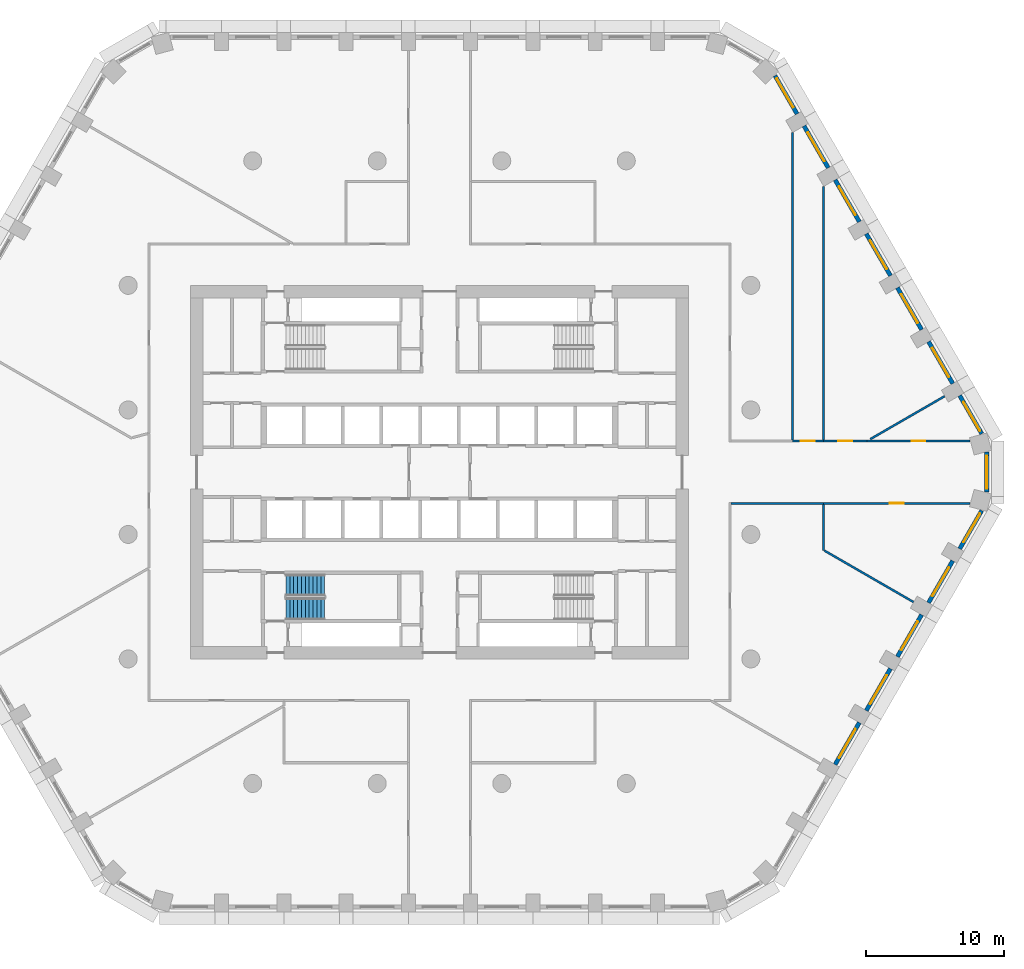
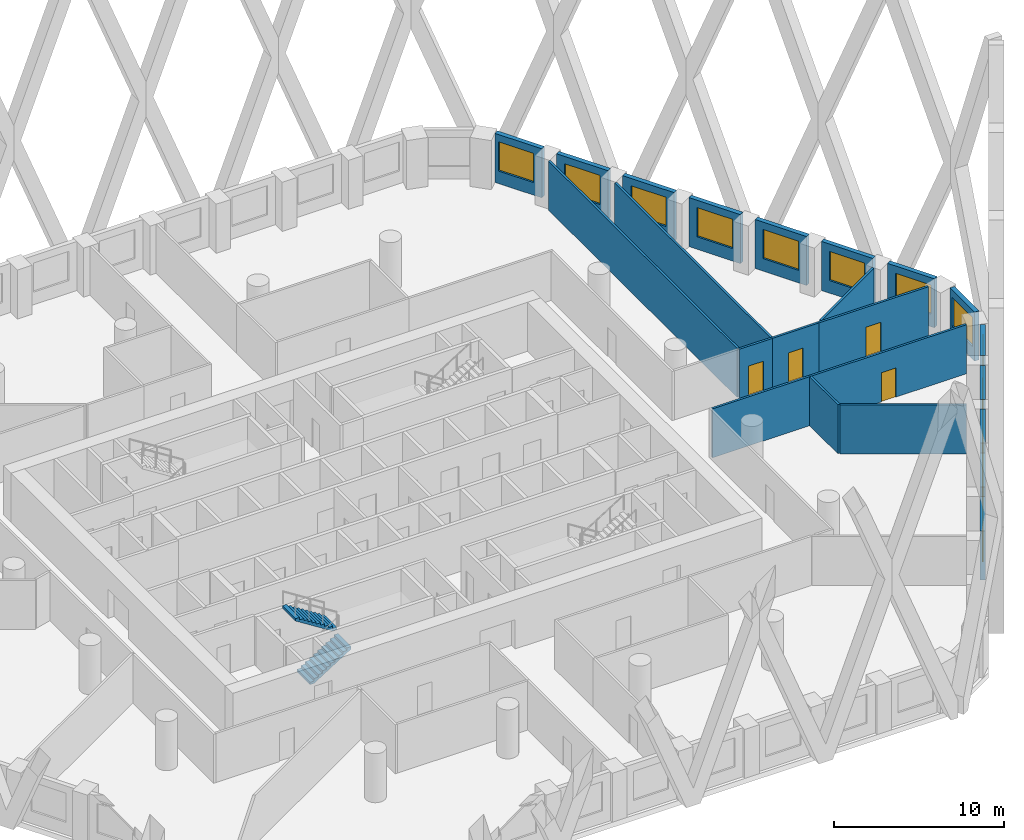
# One storey, part 8 of 18: 23 walls, 13 windows, 4 doors, 2 stair flights, 17 openings, 1 element without a shape of its own.
"""IFC4 building model written with IfcOpenShell, lengths in metres."""

from ifc_helpers import new_model, si_unit, direction, frame, frame_2d, origin, place, context, subcontext, project, spatial, polyline, rectangle, outline, extrude, material, layer, layer_set, type_object, element, fill, aggregate, save


model = new_model("IFC4")

# Units and contexts
model_context = context("Model", 3, precision=1e-05, world=origin(), true_north=direction((0.0, 1.0)))
body_context = subcontext(model_context, "Body", "Model", "MODEL_VIEW")
ifc_project = project(units=[si_unit("LENGTHUNIT", "METRE"), si_unit("AREAUNIT", "SQUARE_METRE"), si_unit("VOLUMEUNIT", "CUBIC_METRE"), si_unit("PLANEANGLEUNIT", "RADIAN"), si_unit("MASSUNIT", "GRAM", prefix="KILO")], contexts=[model_context])

# Site, building, storey
site_placement = place(None, origin())
site = spatial("IfcSite", under=ifc_project, at=site_placement, CompositionType="ELEMENT")
building_placement = place(site_placement, origin())
building = spatial("IfcBuilding", under=site, at=building_placement, Name="Dhurran Vertical Campus", CompositionType="ELEMENT")
storey_placement = place(building_placement, frame((0.0, 0.0, 81.300048828125)))
storey = spatial("IfcBuildingStorey", under=building, at=storey_placement, Name="L19", CompositionType="ELEMENT", Elevation=81.300048828125)

# Wall, opening, window
ifc_material_1 = material(Name="Precast concrete C50/60", Category="concrete")
ifc_layer_1 = layer(ifc_material_1, 0.300048828125)
ifc_layer_set_1 = layer_set([ifc_layer_1], Name="Precast concrete C50/60")
wall_type_1 = type_object("IfcWallType", Name="Precast spandrel wall 300", PredefinedType="SOLIDWALL", material=ifc_layer_set_1)
wall_1_placement = place(storey_placement, frame((28.59423828125, -21.127197265625, 0.0), z_axis=(0.0, 0.0, 1.0), x_axis=(0.499996256241, 0.866027565234, 0.0)))
wall_1 = element("IfcWall", 1, at=wall_1_placement, inside=storey, type_object=wall_type_1, Name="EW1 L19.12", PredefinedType="SOLIDWALL", context=body_context, shape_type="SweptSolid", body=[
    extrude(rectangle(XDim=3.4990234375, YDim=0.300048828125, at=frame_2d((1.74951171875, 0.0))), origin(), (0.0, 0.0, 1.0), 3.52490234375),
])
opening_1_placement = place(wall_1_placement, frame((0.549560546875, 0.0, 0.89990234375)))
opening_1 = element("IfcOpeningElement", 2, at=opening_1_placement, cuts=wall_1, Name="Opening WT1", PredefinedType="OPENING", context=body_context, shape_type="SweptSolid", body=[
    extrude(rectangle(XDim=2.39990234375, YDim=2.10009765625, at=frame_2d((1.199951171875, 1.050048828125))), frame((0.0, 0.159912109375, 0.0), z_axis=(0.0, -1.0, 0.0), x_axis=(1.0, 0.0, 0.0)), (0.0, 0.0, 1.0), 0.320068359375),
])
ifc_material_2 = material(Name="Aluminium frame with solar-control glass", Category="aluminium")
window_type = type_object("IfcWindowType", Name="Punched window 2400 x 2100", PartitioningType="SINGLE_PANEL", PredefinedType="WINDOW", material=ifc_material_2)
window_1_placement = place(opening_1_placement, origin())
window_1 = element("IfcWindow", 3, at=window_1_placement, inside=storey, type_object=window_type, Name="WT1 L19.12", OverallHeight=2.10009765625, OverallWidth=2.39990234375, PartitioningType="SINGLE_PANEL", PredefinedType="WINDOW", context=body_context, shape_type="SweptSolid", body=[
    extrude(rectangle(XDim=2.39990234375, YDim=2.10009765625, at=frame_2d((1.199951171875, 1.050048828125))), frame((0.0, 0.030029296875, 0.0), z_axis=(0.0, -1.0, 0.0), x_axis=(1.0, 0.0, 0.0)), (0.0, 0.0, 1.0), 0.06005859375),
])
fill(opening_1, window_1)

wall_2_placement = place(storey_placement, frame((30.84423828125, -17.22998046875, 0.0), z_axis=(0.0, 0.0, 1.0), x_axis=(0.499996256241, 0.866027565234, 0.0)))
wall_2 = element("IfcWall", 4, at=wall_2_placement, inside=storey, type_object=wall_type_1, Name="EW1 L19.13", PredefinedType="SOLIDWALL", context=body_context, shape_type="SweptSolid", body=[
    extrude(rectangle(XDim=3.4990234375, YDim=0.300048828125, at=frame_2d((1.74951171875, 0.0))), origin(), (0.0, 0.0, 1.0), 3.52490234375),
])
opening_2_placement = place(wall_2_placement, frame((0.549560546875, 0.0, 0.89990234375)))
opening_2 = element("IfcOpeningElement", 5, at=opening_2_placement, cuts=wall_2, Name="Opening WT1", PredefinedType="OPENING", context=body_context, shape_type="SweptSolid", body=[
    extrude(rectangle(XDim=2.39990234375, YDim=2.10009765625, at=frame_2d((1.199951171875, 1.050048828125))), frame((0.0, 0.159912109375, 0.0), z_axis=(0.0, -1.0, 0.0), x_axis=(1.0, 0.0, 0.0)), (0.0, 0.0, 1.0), 0.320068359375),
])
window_2_placement = place(opening_2_placement, origin())
window_2 = element("IfcWindow", 6, at=window_2_placement, inside=storey, type_object=window_type, Name="WT1 L19.13", OverallHeight=2.10009765625, OverallWidth=2.39990234375, PartitioningType="SINGLE_PANEL", PredefinedType="WINDOW", context=body_context, shape_type="SweptSolid", body=[
    extrude(rectangle(XDim=2.39990234375, YDim=2.10009765625, at=frame_2d((1.199951171875, 1.050048828125))), frame((0.0, 0.030029296875, 0.0), z_axis=(0.0, -1.0, 0.0), x_axis=(1.0, 0.0, 0.0)), (0.0, 0.0, 1.0), 0.06005859375),
])
fill(opening_2, window_2)

wall_3_placement = place(storey_placement, frame((33.09423828125, -13.3330078125, 0.0), z_axis=(0.0, 0.0, 1.0), x_axis=(0.499996256241, 0.866027565234, 0.0)))
wall_3 = element("IfcWall", 7, at=wall_3_placement, inside=storey, type_object=wall_type_1, Name="EW1 L19.14", PredefinedType="SOLIDWALL", context=body_context, shape_type="SweptSolid", body=[
    extrude(rectangle(XDim=3.4990234375, YDim=0.300048828125, at=frame_2d((1.74951171875, 0.0))), origin(), (0.0, 0.0, 1.0), 3.52490234375),
])
opening_3_placement = place(wall_3_placement, frame((0.549560546875, 0.0, 0.89990234375)))
opening_3 = element("IfcOpeningElement", 8, at=opening_3_placement, cuts=wall_3, Name="Opening WT1", PredefinedType="OPENING", context=body_context, shape_type="SweptSolid", body=[
    extrude(rectangle(XDim=2.39990234375, YDim=2.10009765625, at=frame_2d((1.199951171875, 1.050048828125))), frame((0.0, 0.159912109375, 0.0), z_axis=(0.0, -1.0, 0.0), x_axis=(1.0, 0.0, 0.0)), (0.0, 0.0, 1.0), 0.320068359375),
])
window_3_placement = place(opening_3_placement, origin())
window_3 = element("IfcWindow", 9, at=window_3_placement, inside=storey, type_object=window_type, Name="WT1 L19.14", OverallHeight=2.10009765625, OverallWidth=2.39990234375, PartitioningType="SINGLE_PANEL", PredefinedType="WINDOW", context=body_context, shape_type="SweptSolid", body=[
    extrude(rectangle(XDim=2.39990234375, YDim=2.10009765625, at=frame_2d((1.199951171875, 1.050048828125))), frame((0.0, 0.030029296875, 0.0), z_axis=(0.0, -1.0, 0.0), x_axis=(1.0, 0.0, 0.0)), (0.0, 0.0, 1.0), 0.06005859375),
])
fill(opening_3, window_3)

wall_4_placement = place(storey_placement, frame((35.34423828125, -9.435791015625, 0.0), z_axis=(0.0, 0.0, 1.0), x_axis=(0.499996256241, 0.866027565234, 0.0)))
wall_4 = element("IfcWall", 10, at=wall_4_placement, inside=storey, type_object=wall_type_1, Name="EW1 L19.15", PredefinedType="SOLIDWALL", context=body_context, shape_type="SweptSolid", body=[
    extrude(rectangle(XDim=3.4990234375, YDim=0.300048828125, at=frame_2d((1.74951171875, 0.0))), origin(), (0.0, 0.0, 1.0), 3.52490234375),
])
opening_4_placement = place(wall_4_placement, frame((0.549560546875, 0.0, 0.89990234375)))
opening_4 = element("IfcOpeningElement", 11, at=opening_4_placement, cuts=wall_4, Name="Opening WT1", PredefinedType="OPENING", context=body_context, shape_type="SweptSolid", body=[
    extrude(rectangle(XDim=2.39990234375, YDim=2.10009765625, at=frame_2d((1.199951171875, 1.050048828125))), frame((0.0, 0.159912109375, 0.0), z_axis=(0.0, -1.0, 0.0), x_axis=(1.0, 0.0, 0.0)), (0.0, 0.0, 1.0), 0.320068359375),
])
window_4_placement = place(opening_4_placement, origin())
window_4 = element("IfcWindow", 12, at=window_4_placement, inside=storey, type_object=window_type, Name="WT1 L19.15", OverallHeight=2.10009765625, OverallWidth=2.39990234375, PartitioningType="SINGLE_PANEL", PredefinedType="WINDOW", context=body_context, shape_type="SweptSolid", body=[
    extrude(rectangle(XDim=2.39990234375, YDim=2.10009765625, at=frame_2d((1.199951171875, 1.050048828125))), frame((0.0, 0.030029296875, 0.0), z_axis=(0.0, -1.0, 0.0), x_axis=(1.0, 0.0, 0.0)), (0.0, 0.0, 1.0), 0.06005859375),
])
fill(opening_4, window_4)

wall_5_placement = place(storey_placement, frame((37.59423828125, -5.538818359375, 0.0), z_axis=(0.0, 0.0, 1.0), x_axis=(0.500004907028, 0.866022570692, 0.0)))
wall_5 = element("IfcWall", 13, at=wall_5_placement, inside=storey, type_object=wall_type_1, Name="EW1 L19.16", PredefinedType="SOLIDWALL", context=body_context, shape_type="SweptSolid", body=[
    extrude(rectangle(XDim=3.1923828125, YDim=0.300048828125, at=frame_2d((1.59619140625, 0.0))), origin(), (0.0, 0.0, 1.0), 3.52490234375),
])
opening_5_placement = place(wall_5_placement, frame((0.549560546875, 0.0, 0.89990234375)))
opening_5 = element("IfcOpeningElement", 14, at=opening_5_placement, cuts=wall_5, Name="Opening WT1", PredefinedType="OPENING", context=body_context, shape_type="SweptSolid", body=[
    extrude(rectangle(XDim=2.39990234375, YDim=2.10009765625, at=frame_2d((1.199951171875, 1.050048828125))), frame((0.0, 0.159912109375, 0.0), z_axis=(0.0, -1.0, 0.0), x_axis=(1.0, 0.0, 0.0)), (0.0, 0.0, 1.0), 0.320068359375),
])
window_5_placement = place(opening_5_placement, origin())
window_5 = element("IfcWindow", 15, at=window_5_placement, inside=storey, type_object=window_type, Name="WT1 L19.16", OverallHeight=2.10009765625, OverallWidth=2.39990234375, PartitioningType="SINGLE_PANEL", PredefinedType="WINDOW", context=body_context, shape_type="SweptSolid", body=[
    extrude(rectangle(XDim=2.39990234375, YDim=2.10009765625, at=frame_2d((1.199951171875, 1.050048828125))), frame((0.0, 0.030029296875, 0.0), z_axis=(0.0, -1.0, 0.0), x_axis=(1.0, 0.0, 0.0)), (0.0, 0.0, 1.0), 0.06005859375),
])
fill(opening_5, window_5)

wall_6_placement = place(storey_placement, frame((39.547119140625, -1.44287109375, 0.0), z_axis=(0.0, 0.0, 1.0), x_axis=(0.0, 1.0, 0.0)))
wall_6 = element("IfcWall", 16, at=wall_6_placement, inside=storey, type_object=wall_type_1, Name="EW1 L19.17", PredefinedType="SOLIDWALL", context=body_context, shape_type="SweptSolid", body=[
    extrude(rectangle(XDim=2.8857421875, YDim=0.300048828125, at=frame_2d((1.44287109375, 0.0))), origin(), (0.0, 0.0, 1.0), 3.52490234375),
])
opening_6_placement = place(wall_6_placement, frame((0.242919921875, 0.0, 0.89990234375)))
opening_6 = element("IfcOpeningElement", 17, at=opening_6_placement, cuts=wall_6, Name="Opening WT1", PredefinedType="OPENING", context=body_context, shape_type="SweptSolid", body=[
    extrude(rectangle(XDim=2.39990234375, YDim=2.10009765625, at=frame_2d((1.199951171875, 1.050048828125))), frame((0.0, 0.159912109375, 0.0), z_axis=(0.0, -1.0, 0.0), x_axis=(1.0, 0.0, 0.0)), (0.0, 0.0, 1.0), 0.320068359375),
])
window_6_placement = place(opening_6_placement, origin())
window_6 = element("IfcWindow", 18, at=window_6_placement, inside=storey, type_object=window_type, Name="WT1 L19.17", OverallHeight=2.10009765625, OverallWidth=2.39990234375, PartitioningType="SINGLE_PANEL", PredefinedType="WINDOW", context=body_context, shape_type="SweptSolid", body=[
    extrude(rectangle(XDim=2.39990234375, YDim=2.10009765625, at=frame_2d((1.199951171875, 1.050048828125))), frame((0.0, 0.030029296875, 0.0), z_axis=(0.0, -1.0, 0.0), x_axis=(1.0, 0.0, 0.0)), (0.0, 0.0, 1.0), 0.06005859375),
])
fill(opening_6, window_6)

wall_7_placement = place(storey_placement, frame((39.1904296875, 2.774169921875, 0.0), z_axis=(0.0, 0.0, 1.0), x_axis=(-0.500004907028, 0.866022570692, 0.0)))
wall_7 = element("IfcWall", 19, at=wall_7_placement, inside=storey, type_object=wall_type_1, Name="EW1 L19.18", PredefinedType="SOLIDWALL", context=body_context, shape_type="SweptSolid", body=[
    extrude(rectangle(XDim=3.1923828125, YDim=0.300048828125, at=frame_2d((1.59619140625, 0.0))), origin(), (0.0, 0.0, 1.0), 3.52490234375),
])
opening_7_placement = place(wall_7_placement, frame((0.242919921875, 0.0, 0.89990234375)))
opening_7 = element("IfcOpeningElement", 20, at=opening_7_placement, cuts=wall_7, Name="Opening WT1", PredefinedType="OPENING", context=body_context, shape_type="SweptSolid", body=[
    extrude(rectangle(XDim=2.39990234375, YDim=2.10009765625, at=frame_2d((1.199951171875, 1.050048828125))), frame((0.0, 0.159912109375, 0.0), z_axis=(0.0, -1.0, 0.0), x_axis=(1.0, 0.0, 0.0)), (0.0, 0.0, 1.0), 0.320068359375),
])
window_7_placement = place(opening_7_placement, origin())
window_7 = element("IfcWindow", 21, at=window_7_placement, inside=storey, type_object=window_type, Name="WT1 L19.18", OverallHeight=2.10009765625, OverallWidth=2.39990234375, PartitioningType="SINGLE_PANEL", PredefinedType="WINDOW", context=body_context, shape_type="SweptSolid", body=[
    extrude(rectangle(XDim=2.39990234375, YDim=2.10009765625, at=frame_2d((1.199951171875, 1.050048828125))), frame((0.0, 0.030029296875, 0.0), z_axis=(0.0, -1.0, 0.0), x_axis=(1.0, 0.0, 0.0)), (0.0, 0.0, 1.0), 0.06005859375),
])
fill(opening_7, window_7)

wall_8_placement = place(storey_placement, frame((37.09375, 6.405517578125, 0.0), z_axis=(0.0, 0.0, 1.0), x_axis=(-0.499996256241, 0.866027565234, 0.0)))
wall_8 = element("IfcWall", 22, at=wall_8_placement, inside=storey, type_object=wall_type_1, Name="EW1 L19.19", PredefinedType="SOLIDWALL", context=body_context, shape_type="SweptSolid", body=[
    extrude(rectangle(XDim=3.4990234375, YDim=0.300048828125, at=frame_2d((1.74951171875, 0.0))), origin(), (0.0, 0.0, 1.0), 3.52490234375),
])
opening_8_placement = place(wall_8_placement, frame((0.549560546875, 0.0, 0.89990234375)))
opening_8 = element("IfcOpeningElement", 23, at=opening_8_placement, cuts=wall_8, Name="Opening WT1", PredefinedType="OPENING", context=body_context, shape_type="SweptSolid", body=[
    extrude(rectangle(XDim=2.39990234375, YDim=2.10009765625, at=frame_2d((1.199951171875, 1.050048828125))), frame((0.0, 0.159912109375, 0.0), z_axis=(0.0, -1.0, 0.0), x_axis=(1.0, 0.0, 0.0)), (0.0, 0.0, 1.0), 0.320068359375),
])
window_8_placement = place(opening_8_placement, origin())
window_8 = element("IfcWindow", 24, at=window_8_placement, inside=storey, type_object=window_type, Name="WT1 L19.19", OverallHeight=2.10009765625, OverallWidth=2.39990234375, PartitioningType="SINGLE_PANEL", PredefinedType="WINDOW", context=body_context, shape_type="SweptSolid", body=[
    extrude(rectangle(XDim=2.39990234375, YDim=2.10009765625, at=frame_2d((1.199951171875, 1.050048828125))), frame((0.0, 0.030029296875, 0.0), z_axis=(0.0, -1.0, 0.0), x_axis=(1.0, 0.0, 0.0)), (0.0, 0.0, 1.0), 0.06005859375),
])
fill(opening_8, window_8)

wall_9_placement = place(storey_placement, frame((34.84375, 10.302734375, 0.0), z_axis=(0.0, 0.0, 1.0), x_axis=(-0.499996256241, 0.866027565234, 0.0)))
wall_9 = element("IfcWall", 25, at=wall_9_placement, inside=storey, type_object=wall_type_1, Name="EW1 L19.20", PredefinedType="SOLIDWALL", context=body_context, shape_type="SweptSolid", body=[
    extrude(rectangle(XDim=3.4990234375, YDim=0.300048828125, at=frame_2d((1.74951171875, 0.0))), origin(), (0.0, 0.0, 1.0), 3.52490234375),
])
opening_9_placement = place(wall_9_placement, frame((0.549560546875, 0.0, 0.89990234375)))
opening_9 = element("IfcOpeningElement", 26, at=opening_9_placement, cuts=wall_9, Name="Opening WT1", PredefinedType="OPENING", context=body_context, shape_type="SweptSolid", body=[
    extrude(rectangle(XDim=2.39990234375, YDim=2.10009765625, at=frame_2d((1.199951171875, 1.050048828125))), frame((0.0, 0.159912109375, 0.0), z_axis=(0.0, -1.0, 0.0), x_axis=(1.0, 0.0, 0.0)), (0.0, 0.0, 1.0), 0.320068359375),
])
window_9_placement = place(opening_9_placement, origin())
window_9 = element("IfcWindow", 27, at=window_9_placement, inside=storey, type_object=window_type, Name="WT1 L19.20", OverallHeight=2.10009765625, OverallWidth=2.39990234375, PartitioningType="SINGLE_PANEL", PredefinedType="WINDOW", context=body_context, shape_type="SweptSolid", body=[
    extrude(rectangle(XDim=2.39990234375, YDim=2.10009765625, at=frame_2d((1.199951171875, 1.050048828125))), frame((0.0, 0.030029296875, 0.0), z_axis=(0.0, -1.0, 0.0), x_axis=(1.0, 0.0, 0.0)), (0.0, 0.0, 1.0), 0.06005859375),
])
fill(opening_9, window_9)

wall_10_placement = place(storey_placement, frame((32.59375, 14.19970703125, 0.0), z_axis=(0.0, 0.0, 1.0), x_axis=(-0.499996256241, 0.866027565234, 0.0)))
wall_10 = element("IfcWall", 28, at=wall_10_placement, inside=storey, type_object=wall_type_1, Name="EW1 L19.21", PredefinedType="SOLIDWALL", context=body_context, shape_type="SweptSolid", body=[
    extrude(rectangle(XDim=3.4990234375, YDim=0.300048828125, at=frame_2d((1.74951171875, 0.0))), origin(), (0.0, 0.0, 1.0), 3.52490234375),
])
opening_10_placement = place(wall_10_placement, frame((0.549560546875, 0.0, 0.89990234375)))
opening_10 = element("IfcOpeningElement", 29, at=opening_10_placement, cuts=wall_10, Name="Opening WT1", PredefinedType="OPENING", context=body_context, shape_type="SweptSolid", body=[
    extrude(rectangle(XDim=2.39990234375, YDim=2.10009765625, at=frame_2d((1.199951171875, 1.050048828125))), frame((0.0, 0.159912109375, 0.0), z_axis=(0.0, -1.0, 0.0), x_axis=(1.0, 0.0, 0.0)), (0.0, 0.0, 1.0), 0.320068359375),
])
window_10_placement = place(opening_10_placement, origin())
window_10 = element("IfcWindow", 30, at=window_10_placement, inside=storey, type_object=window_type, Name="WT1 L19.21", OverallHeight=2.10009765625, OverallWidth=2.39990234375, PartitioningType="SINGLE_PANEL", PredefinedType="WINDOW", context=body_context, shape_type="SweptSolid", body=[
    extrude(rectangle(XDim=2.39990234375, YDim=2.10009765625, at=frame_2d((1.199951171875, 1.050048828125))), frame((0.0, 0.030029296875, 0.0), z_axis=(0.0, -1.0, 0.0), x_axis=(1.0, 0.0, 0.0)), (0.0, 0.0, 1.0), 0.06005859375),
])
fill(opening_10, window_10)

wall_11_placement = place(storey_placement, frame((30.34375, 18.096923828125, 0.0), z_axis=(0.0, 0.0, 1.0), x_axis=(-0.499996256241, 0.866027565234, 0.0)))
wall_11 = element("IfcWall", 31, at=wall_11_placement, inside=storey, type_object=wall_type_1, Name="EW1 L19.22", PredefinedType="SOLIDWALL", context=body_context, shape_type="SweptSolid", body=[
    extrude(rectangle(XDim=3.4990234375, YDim=0.300048828125, at=frame_2d((1.74951171875, 0.0))), origin(), (0.0, 0.0, 1.0), 3.52490234375),
])
opening_11_placement = place(wall_11_placement, frame((0.549560546875, 0.0, 0.89990234375)))
opening_11 = element("IfcOpeningElement", 32, at=opening_11_placement, cuts=wall_11, Name="Opening WT1", PredefinedType="OPENING", context=body_context, shape_type="SweptSolid", body=[
    extrude(rectangle(XDim=2.39990234375, YDim=2.10009765625, at=frame_2d((1.199951171875, 1.050048828125))), frame((0.0, 0.159912109375, 0.0), z_axis=(0.0, -1.0, 0.0), x_axis=(1.0, 0.0, 0.0)), (0.0, 0.0, 1.0), 0.320068359375),
])
window_11_placement = place(opening_11_placement, origin())
window_11 = element("IfcWindow", 33, at=window_11_placement, inside=storey, type_object=window_type, Name="WT1 L19.22", OverallHeight=2.10009765625, OverallWidth=2.39990234375, PartitioningType="SINGLE_PANEL", PredefinedType="WINDOW", context=body_context, shape_type="SweptSolid", body=[
    extrude(rectangle(XDim=2.39990234375, YDim=2.10009765625, at=frame_2d((1.199951171875, 1.050048828125))), frame((0.0, 0.030029296875, 0.0), z_axis=(0.0, -1.0, 0.0), x_axis=(1.0, 0.0, 0.0)), (0.0, 0.0, 1.0), 0.06005859375),
])
fill(opening_11, window_11)

wall_12_placement = place(storey_placement, frame((28.09375, 21.993896484375, 0.0), z_axis=(0.0, 0.0, 1.0), x_axis=(-0.499996256241, 0.866027565234, 0.0)))
wall_12 = element("IfcWall", 34, at=wall_12_placement, inside=storey, type_object=wall_type_1, Name="EW1 L19.23", PredefinedType="SOLIDWALL", context=body_context, shape_type="SweptSolid", body=[
    extrude(rectangle(XDim=3.4990234375, YDim=0.300048828125, at=frame_2d((1.74951171875, 0.0))), origin(), (0.0, 0.0, 1.0), 3.52490234375),
])
opening_12_placement = place(wall_12_placement, frame((0.549560546875, 0.0, 0.89990234375)))
opening_12 = element("IfcOpeningElement", 35, at=opening_12_placement, cuts=wall_12, Name="Opening WT1", PredefinedType="OPENING", context=body_context, shape_type="SweptSolid", body=[
    extrude(rectangle(XDim=2.39990234375, YDim=2.10009765625, at=frame_2d((1.199951171875, 1.050048828125))), frame((0.0, 0.159912109375, 0.0), z_axis=(0.0, -1.0, 0.0), x_axis=(1.0, 0.0, 0.0)), (0.0, 0.0, 1.0), 0.320068359375),
])
window_12_placement = place(opening_12_placement, origin())
window_12 = element("IfcWindow", 36, at=window_12_placement, inside=storey, type_object=window_type, Name="WT1 L19.23", OverallHeight=2.10009765625, OverallWidth=2.39990234375, PartitioningType="SINGLE_PANEL", PredefinedType="WINDOW", context=body_context, shape_type="SweptSolid", body=[
    extrude(rectangle(XDim=2.39990234375, YDim=2.10009765625, at=frame_2d((1.199951171875, 1.050048828125))), frame((0.0, 0.030029296875, 0.0), z_axis=(0.0, -1.0, 0.0), x_axis=(1.0, 0.0, 0.0)), (0.0, 0.0, 1.0), 0.06005859375),
])
fill(opening_12, window_12)

wall_13_placement = place(storey_placement, frame((25.84375, 25.89111328125, 0.0), z_axis=(0.0, 0.0, 1.0), x_axis=(-0.500004907028, 0.866022570692, 0.0)))
wall_13 = element("IfcWall", 37, at=wall_13_placement, inside=storey, type_object=wall_type_1, Name="EW1 L19.24", PredefinedType="SOLIDWALL", context=body_context, shape_type="SweptSolid", body=[
    extrude(rectangle(XDim=3.1923828125, YDim=0.300048828125, at=frame_2d((1.59619140625, 0.0))), origin(), (0.0, 0.0, 1.0), 3.52490234375),
])
opening_13_placement = place(wall_13_placement, frame((0.549560546875, 0.0, 0.89990234375)))
opening_13 = element("IfcOpeningElement", 38, at=opening_13_placement, cuts=wall_13, Name="Opening WT1", PredefinedType="OPENING", context=body_context, shape_type="SweptSolid", body=[
    extrude(rectangle(XDim=2.39990234375, YDim=2.10009765625, at=frame_2d((1.199951171875, 1.050048828125))), frame((0.0, 0.159912109375, 0.0), z_axis=(0.0, -1.0, 0.0), x_axis=(1.0, 0.0, 0.0)), (0.0, 0.0, 1.0), 0.320068359375),
])
window_13_placement = place(opening_13_placement, origin())
window_13 = element("IfcWindow", 39, at=window_13_placement, inside=storey, type_object=window_type, Name="WT1 L19.24", OverallHeight=2.10009765625, OverallWidth=2.39990234375, PartitioningType="SINGLE_PANEL", PredefinedType="WINDOW", context=body_context, shape_type="SweptSolid", body=[
    extrude(rectangle(XDim=2.39990234375, YDim=2.10009765625, at=frame_2d((1.199951171875, 1.050048828125))), frame((0.0, 0.030029296875, 0.0), z_axis=(0.0, -1.0, 0.0), x_axis=(1.0, 0.0, 0.0)), (0.0, 0.0, 1.0), 0.06005859375),
])
fill(opening_13, window_13)

# Wall
ifc_material_3 = material(Name="Gypsum board corridor wall on steel studs", Category="steel")
ifc_layer_2 = layer(ifc_material_3, 0.14990234375)
ifc_layer_set_2 = layer_set([ifc_layer_2], Name="Gypsum board corridor wall on steel studs")
wall_type_2 = type_object("IfcWallType", Name="fl-CW-150 corridor wall", PredefinedType="PARTITIONING", material=ifc_layer_set_2)
wall_14_placement = place(storey_placement, frame((27.75, -2.25, 0.0), z_axis=(0.0, 0.0, 1.0), x_axis=(-1.0, 0.0, 0.0)))
element("IfcWall", 40, at=wall_14_placement, inside=storey, type_object=wall_type_2, Name="Partition 19-38", PredefinedType="PARTITIONING", context=body_context, shape_type="SweptSolid", body=[
    extrude(rectangle(XDim=6.675048828125, YDim=0.14990234375, at=frame_2d((3.33740234375, 0.0))), origin(), (0.0, 0.0, 1.0), 3.52490234375),
])

# Wall, opening, door
wall_15_placement = place(storey_placement, frame((25.5, 2.25, 0.0), z_axis=(0.0, 0.0, 1.0), x_axis=(1.0, 0.0, 0.0)))
wall_15 = element("IfcWall", 41, at=wall_15_placement, inside=storey, type_object=wall_type_2, Name="Partition 19-42", PredefinedType="PARTITIONING", context=body_context, shape_type="SweptSolid", body=[
    extrude(rectangle(XDim=2.25, YDim=0.14990234375, at=frame_2d((1.125, 0.0))), origin(), (0.0, 0.0, 1.0), 3.52490234375),
])
opening_14_placement = place(wall_15_placement, frame((0.625, 0.0, 0.0)))
opening_14 = element("IfcOpeningElement", 42, at=opening_14_placement, cuts=wall_15, Name="Opening T05.13", PredefinedType="OPENING", context=body_context, shape_type="SweptSolid", body=[
    extrude(rectangle(XDim=1.0, YDim=2.10009765625, at=frame_2d((0.5, 1.050048828125))), frame((0.0, 0.0849609375, 0.0), z_axis=(0.0, -1.0, 0.0), x_axis=(1.0, 0.0, 0.0)), (0.0, 0.0, 1.0), 0.169921875),
])
ifc_material_4 = material(Name="Solid-core timber door set, fire-rated", Category="wood")
door_type = type_object("IfcDoorType", Name="fl-D-1000x2100", OperationType="SINGLE_SWING_LEFT", PredefinedType="DOOR", material=ifc_material_4)
door_1_placement = place(opening_14_placement, origin())
door_1 = element("IfcDoor", 43, at=door_1_placement, inside=storey, type_object=door_type, Name="Door 19.13", OperationType="SINGLE_SWING_LEFT", OverallHeight=2.10009765625, OverallWidth=1.0, PredefinedType="DOOR", context=body_context, shape_type="SweptSolid", body=[
    extrude(rectangle(XDim=1.0, YDim=2.10009765625, at=frame_2d((0.5, 1.050048828125))), frame((0.0, 0.02490234375, 0.0), z_axis=(0.0, -1.0, 0.0), x_axis=(1.0, 0.0, 0.0)), (0.0, 0.0, 1.0), 0.050048828125),
])
fill(opening_14, door_1)

wall_16_placement = place(storey_placement, frame((38.35009765625, -2.25, 0.0), z_axis=(0.0, 0.0, 1.0), x_axis=(-1.0, 0.0, 0.0)))
wall_16 = element("IfcWall", 44, at=wall_16_placement, inside=storey, type_object=wall_type_2, Name="Partition 19-45", PredefinedType="PARTITIONING", context=body_context, shape_type="SweptSolid", body=[
    extrude(rectangle(XDim=10.60009765625, YDim=0.14990234375, at=frame_2d((5.300048828125, 0.0))), origin(), (0.0, 0.0, 1.0), 3.52490234375),
])
opening_15_placement = place(wall_16_placement, frame((4.800048828125, 0.0, 0.0)))
opening_15 = element("IfcOpeningElement", 45, at=opening_15_placement, cuts=wall_16, Name="Opening T05.15", PredefinedType="OPENING", context=body_context, shape_type="SweptSolid", body=[
    extrude(rectangle(XDim=1.0, YDim=2.10009765625, at=frame_2d((0.5, 1.050048828125))), frame((0.0, 0.0849609375, 0.0), z_axis=(0.0, -1.0, 0.0), x_axis=(1.0, 0.0, 0.0)), (0.0, 0.0, 1.0), 0.169921875),
])
door_2_placement = place(opening_15_placement, origin())
door_2 = element("IfcDoor", 46, at=door_2_placement, inside=storey, type_object=door_type, Name="Door 19.15", OperationType="SINGLE_SWING_LEFT", OverallHeight=2.10009765625, OverallWidth=1.0, PredefinedType="DOOR", context=body_context, shape_type="SweptSolid", body=[
    extrude(rectangle(XDim=1.0, YDim=2.10009765625, at=frame_2d((0.5, 1.050048828125))), frame((0.0, 0.02490234375, 0.0), z_axis=(0.0, -1.0, 0.0), x_axis=(1.0, 0.0, 0.0)), (0.0, 0.0, 1.0), 0.050048828125),
])
fill(opening_15, door_2)

wall_17_placement = place(storey_placement, frame((27.75, 2.25, 0.0), z_axis=(0.0, 0.0, 1.0), x_axis=(1.0, 0.0, 0.0)))
wall_17 = element("IfcWall", 47, at=wall_17_placement, inside=storey, type_object=wall_type_2, Name="Partition 19-47", PredefinedType="PARTITIONING", context=body_context, shape_type="SweptSolid", body=[
    extrude(rectangle(XDim=3.14697265625, YDim=0.14990234375, at=frame_2d((1.573486328125, 0.0))), origin(), (0.0, 0.0, 1.0), 3.52490234375),
])
opening_16_placement = place(wall_17_placement, frame((1.073486328125, 0.0, 0.0)))
opening_16 = element("IfcOpeningElement", 48, at=opening_16_placement, cuts=wall_17, Name="Opening T05.14", PredefinedType="OPENING", context=body_context, shape_type="SweptSolid", body=[
    extrude(rectangle(XDim=1.0, YDim=2.10009765625, at=frame_2d((0.5, 1.050048828125))), frame((0.0, 0.0849609375, 0.0), z_axis=(0.0, -1.0, 0.0), x_axis=(1.0, 0.0, 0.0)), (0.0, 0.0, 1.0), 0.169921875),
])
door_3_placement = place(opening_16_placement, origin())
door_3 = element("IfcDoor", 49, at=door_3_placement, inside=storey, type_object=door_type, Name="Door 19.14", OperationType="SINGLE_SWING_RIGHT", OverallHeight=2.10009765625, OverallWidth=1.0, PredefinedType="DOOR", context=body_context, shape_type="SweptSolid", body=[
    extrude(rectangle(XDim=1.0, YDim=2.10009765625, at=frame_2d((0.5, 1.050048828125))), frame((0.0, 0.02490234375, 0.0), z_axis=(0.0, -1.0, 0.0), x_axis=(1.0, 0.0, 0.0)), (0.0, 0.0, 1.0), 0.050048828125),
])
fill(opening_16, door_3)

wall_18_placement = place(storey_placement, frame((30.89697265625, 2.25, 0.0), z_axis=(0.0, 0.0, 1.0), x_axis=(1.0, 0.0, 0.0)))
wall_18 = element("IfcWall", 50, at=wall_18_placement, inside=storey, type_object=wall_type_2, Name="Partition 19-49", PredefinedType="PARTITIONING", context=body_context, shape_type="SweptSolid", body=[
    extrude(rectangle(XDim=7.453125, YDim=0.14990234375, at=frame_2d((3.7265625, 0.0))), origin(), (0.0, 0.0, 1.0), 3.52490234375),
])
opening_17_placement = place(wall_18_placement, frame((3.2265625, 0.0, 0.0)))
opening_17 = element("IfcOpeningElement", 51, at=opening_17_placement, cuts=wall_18, Name="Opening T05.16", PredefinedType="OPENING", context=body_context, shape_type="SweptSolid", body=[
    extrude(rectangle(XDim=1.0, YDim=2.10009765625, at=frame_2d((0.5, 1.050048828125))), frame((0.0, 0.0849609375, 0.0), z_axis=(0.0, -1.0, 0.0), x_axis=(1.0, 0.0, 0.0)), (0.0, 0.0, 1.0), 0.169921875),
])
door_4_placement = place(opening_17_placement, origin())
door_4 = element("IfcDoor", 52, at=door_4_placement, inside=storey, type_object=door_type, Name="Door 19.16", OperationType="SINGLE_SWING_RIGHT", OverallHeight=2.10009765625, OverallWidth=1.0, PredefinedType="DOOR", context=body_context, shape_type="SweptSolid", body=[
    extrude(rectangle(XDim=1.0, YDim=2.10009765625, at=frame_2d((0.5, 1.050048828125))), frame((0.0, 0.02490234375, 0.0), z_axis=(0.0, -1.0, 0.0), x_axis=(1.0, 0.0, 0.0)), (0.0, 0.0, 1.0), 0.050048828125),
])
fill(opening_17, door_4)

# Walls
ifc_material_5 = material(Name="Gypsum board partition on steel studs", Category="steel")
ifc_layer_3 = layer(ifc_material_5, 0.14990234375)
ifc_layer_set_3 = layer_set([ifc_layer_3], Name="Gypsum board partition on steel studs")
wall_type_3 = type_object("IfcWallType", Name="fl-PW-150 fixed partition", PredefinedType="PARTITIONING", material=ifc_layer_set_3)
wall_19_placement = place(storey_placement, frame((25.5, 24.546630859375, 0.0), z_axis=(0.0, 0.0, 1.0), x_axis=(0.0, -1.0, 0.0)))
element("IfcWall", 53, at=wall_19_placement, inside=storey, type_object=wall_type_3, Name="Partition 19-41", PredefinedType="PARTITIONING", context=body_context, shape_type="SweptSolid", body=[
    extrude(rectangle(XDim=22.2216796875, YDim=0.14990234375, at=frame_2d((11.11083984375, 0.0))), origin(), (0.0, 0.0, 1.0), 3.52490234375),
])
wall_20_placement = place(storey_placement, frame((27.75, -2.324951171875, 0.0), z_axis=(0.0, 0.0, 1.0), x_axis=(0.0, -1.0, 0.0)))
element("IfcWall", 54, at=wall_20_placement, inside=storey, type_object=wall_type_3, Name="Partition 19-43", PredefinedType="PARTITIONING", context=body_context, shape_type="SweptSolid", body=[
    extrude(rectangle(XDim=3.3291015625, YDim=0.14990234375, at=frame_2d((1.66455078125, 0.0))), origin(), (0.0, 0.0, 1.0), 3.52490234375),
])
wall_21_placement = place(storey_placement, frame((27.81494140625, -5.66650390625, 0.0), z_axis=(0.0, 0.0, 1.0), x_axis=(0.86601169699, -0.500023740114, 0.0)))
element("IfcWall", 55, at=wall_21_placement, inside=storey, type_object=wall_type_3, Name="Partition 19-44", PredefinedType="PARTITIONING", context=body_context, shape_type="SweptSolid", body=[
    extrude(rectangle(XDim=7.435302734375, YDim=0.14990234375, at=frame_2d((3.7177734375, 0.0))), origin(), (0.0, 0.0, 1.0), 3.52490234375),
])
wall_22_placement = place(storey_placement, frame((27.75, 20.6494140625, 0.0), z_axis=(0.0, 0.0, 1.0), x_axis=(0.0, -1.0, 0.0)))
element("IfcWall", 56, at=wall_22_placement, inside=storey, type_object=wall_type_3, Name="Partition 19-46", PredefinedType="PARTITIONING", context=body_context, shape_type="SweptSolid", body=[
    extrude(rectangle(XDim=18.324462890625, YDim=0.14990234375, at=frame_2d((9.162109375, 0.0))), origin(), (0.0, 0.0, 1.0), 3.52490234375),
])
wall_23_placement = place(storey_placement, frame((36.50390625, 5.4873046875, 0.0), z_axis=(0.0, 0.0, 1.0), x_axis=(-0.866007197923, -0.500031532152, 0.0)))
element("IfcWall", 57, at=wall_23_placement, inside=storey, type_object=wall_type_3, Name="Partition 19-48", PredefinedType="PARTITIONING", context=body_context, shape_type="SweptSolid", body=[
    extrude(rectangle(XDim=6.19921875, YDim=0.14990234375, at=frame_2d((3.099609375, 0.0))), origin(), (0.0, 0.0, 1.0), 3.52490234375),
])

# Stair, stair flights
ifc_material_6 = material(Name="Concrete C40/50", Category="concrete")
stair_type = type_object("IfcStairType", Name="co-ST-CORE", PredefinedType="HALF_TURN_STAIR", material=ifc_material_6)
stair_placement = place(storey_placement, origin())
stair = element("IfcStair", 58, at=stair_placement, inside=storey, type_object=stair_type, Name="L19 Protected exit stair ST3", PredefinedType="HALF_TURN_STAIR")
ifc_material_7 = material(Name="Concrete C40/50", Category="concrete")
stair_flight_type = type_object("IfcStairFlightType", Name="co-SFL-RC", PredefinedType="STRAIGHT", material=ifc_material_7)
stair_flight_1_placement = place(storey_placement, frame((-11.10009765625, -9.875, 0.0), z_axis=(0.0, 0.0, 1.0), x_axis=(1.0, 0.0, 0.0)))
stair_flight_1 = element("IfcStairFlight", 59, at=stair_flight_1_placement, type_object=stair_flight_type, Name="ST3 flight 1", NumberOfRisers=11, NumberOfTreads=10, PredefinedType="STRAIGHT", RiserHeight=0.177272727, TreadLength=0.28, context=body_context, shape_type="SweptSolid", body=[
    extrude(outline(polyline([(0.0, 0.0), (0.0, 0.17724609375), (0.280029296875, 0.17724609375), (0.280029296875, 0.3544921875), (0.56005859375, 0.3544921875), (0.56005859375, 0.53173828125), (0.840087890625, 0.53173828125), (0.840087890625, 0.708984375), (1.1201171875, 0.708984375), (1.1201171875, 0.886474609375), (1.39990234375, 0.886474609375), (1.39990234375, 1.063720703125), (1.679931640625, 1.063720703125), (1.679931640625, 1.240966796875), (1.9599609375, 1.240966796875), (1.9599609375, 1.418212890625), (2.239990234375, 1.418212890625), (2.239990234375, 1.595458984375), (2.52001953125, 1.595458984375), (2.52001953125, 1.772705078125), (2.800048828125, 1.772705078125), (2.800048828125, 1.949951171875), (2.800048828125, 1.59521484375), (0.2802734375, 0.0), (0.0, 0.0)])), frame((0.0, 0.77490234375, 0.0), z_axis=(0.0, -1.0, 0.0), x_axis=(1.0, 0.0, 0.0)), (0.0, 0.0, 1.0), 1.550048828125),
])
stair_flight_2_placement = place(storey_placement, frame((-8.300048828125, -8.175048828125, 1.949951171875), z_axis=(0.0, 0.0, 1.0), x_axis=(-1.0, 0.0, 0.0)))
stair_flight_2 = element("IfcStairFlight", 60, at=stair_flight_2_placement, type_object=stair_flight_type, Name="ST3 flight 2", NumberOfRisers=11, NumberOfTreads=10, PredefinedType="STRAIGHT", RiserHeight=0.177272727, TreadLength=0.28, context=body_context, shape_type="SweptSolid", body=[
    extrude(outline(polyline([(0.0, 0.0), (0.0, 0.17724609375), (0.280029296875, 0.17724609375), (0.280029296875, 0.3544921875), (0.56005859375, 0.3544921875), (0.56005859375, 0.53173828125), (0.840087890625, 0.53173828125), (0.840087890625, 0.708984375), (1.1201171875, 0.708984375), (1.1201171875, 0.886474609375), (1.39990234375, 0.886474609375), (1.39990234375, 1.063720703125), (1.679931640625, 1.063720703125), (1.679931640625, 1.240966796875), (1.9599609375, 1.240966796875), (1.9599609375, 1.418212890625), (2.239990234375, 1.418212890625), (2.239990234375, 1.595458984375), (2.52001953125, 1.595458984375), (2.52001953125, 1.772705078125), (2.800048828125, 1.772705078125), (2.800048828125, 1.949951171875), (2.800048828125, 1.59521484375), (0.2802734375, 0.0), (0.0, 0.0)])), frame((0.0, 0.77490234375, 0.0), z_axis=(0.0, -1.0, 0.0), x_axis=(1.0, 0.0, 0.0)), (0.0, 0.0, 1.0), 1.550048828125),
])
aggregate(stair, [stair_flight_1, stair_flight_2])

save(model, "model.ifc")
